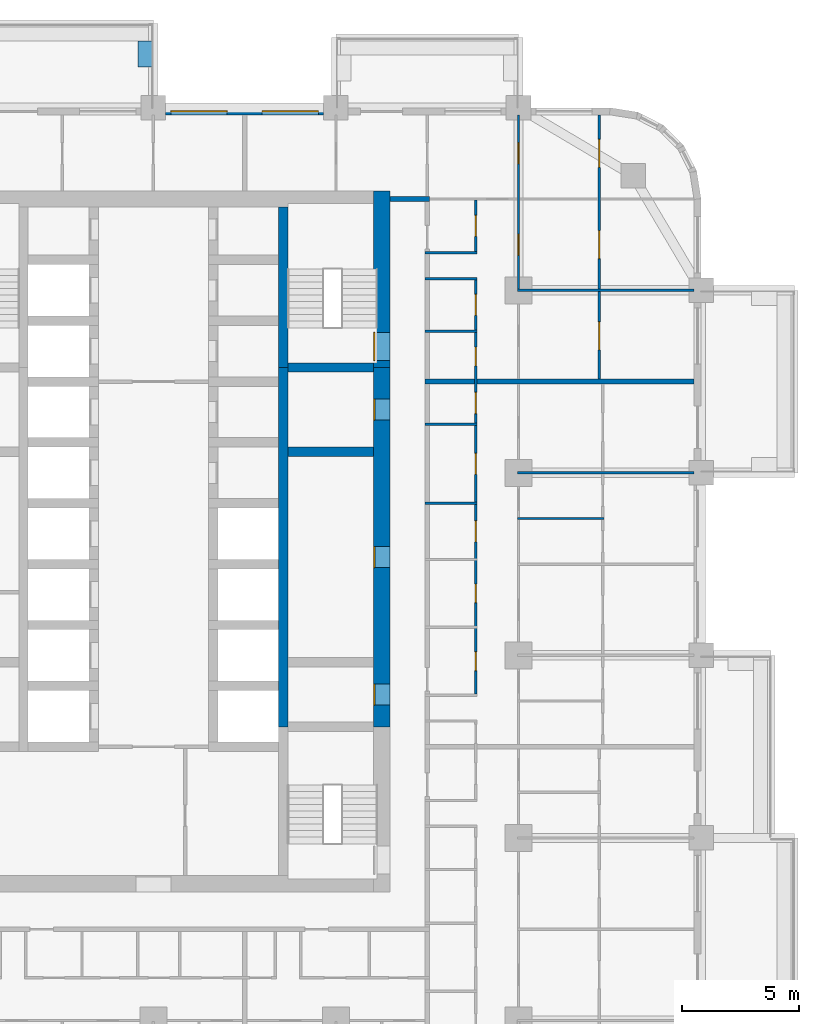
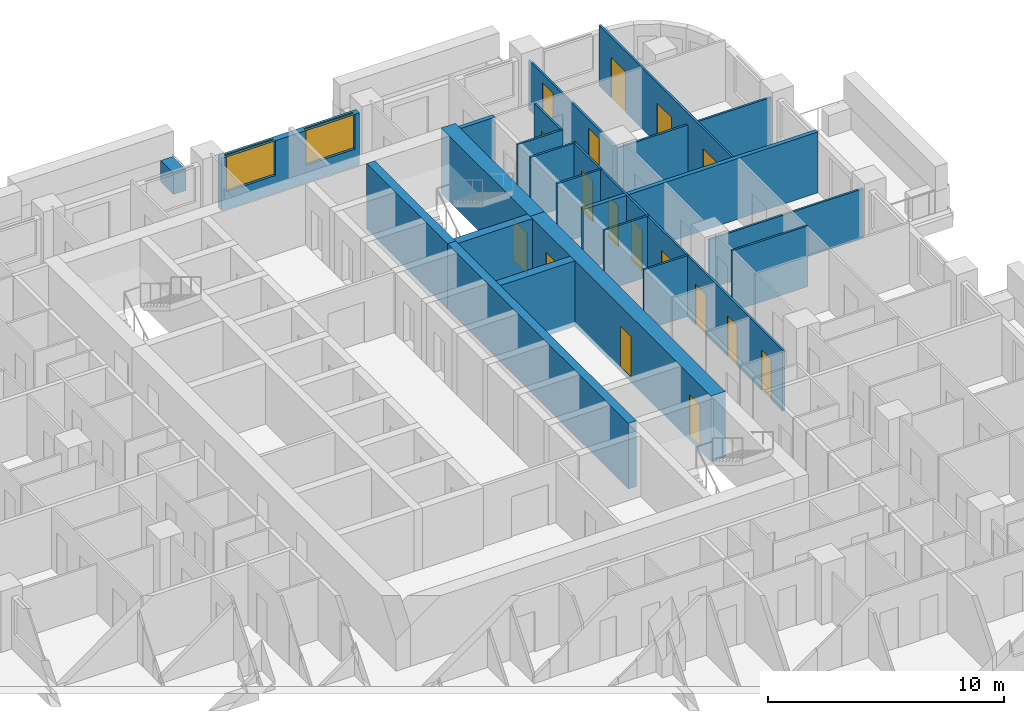
# One storey, part 12 of 17: 22 walls, 17 doors, 2 windows, 19 openings.
"""IFC4 building model written with IfcOpenShell, lengths in metres."""

from ifc_helpers import new_model, si_unit, direction, frame, frame_2d, origin, place, context, subcontext, project, spatial, rectangle, extrude, material, layer, layer_set, type_object, element, fill, save


model = new_model("IFC4")

# Units and contexts
model_context = context("Model", 3, precision=1e-05, world=origin(), true_north=direction((0.0, 1.0)))
body_context = subcontext(model_context, "Body", "Model", "MODEL_VIEW")
ifc_project = project(units=[si_unit("LENGTHUNIT", "METRE"), si_unit("AREAUNIT", "SQUARE_METRE"), si_unit("VOLUMEUNIT", "CUBIC_METRE"), si_unit("PLANEANGLEUNIT", "RADIAN"), si_unit("MASSUNIT", "GRAM", prefix="KILO")], contexts=[model_context])

# Site, building, storey
site_placement = place(None, origin())
site = spatial("IfcSite", under=ifc_project, at=site_placement, CompositionType="ELEMENT")
building_placement = place(site_placement, origin())
building = spatial("IfcBuilding", under=site, at=building_placement, Name="Ludao Terraces", CompositionType="ELEMENT")
storey_placement = place(building_placement, frame((0.0, 0.0, 19.5)))
storey = spatial("IfcBuildingStorey", under=building, at=storey_placement, Name="L04", CompositionType="ELEMENT", Elevation=19.5)

# Wall, openings, doors
ifc_material_1 = material(Name="Concrete C70", Category="concrete")
ifc_layer_1 = layer(ifc_material_1, 0.699951171875)
ifc_layer_set_1 = layer_set([ifc_layer_1], Name="Core wall 700 C70")
wall_type_1 = type_object("IfcWallType", Name="Core wall 700 C70", PredefinedType="SOLIDWALL", material=ifc_layer_set_1)
wall_1_placement = place(storey_placement, frame((94.75, 61.949951171875, -0.25), z_axis=(0.0, 0.0, 1.0), x_axis=(0.0, 1.0, 0.0)))
wall_1 = element("IfcWall", 1, at=wall_1_placement, inside=storey, type_object=wall_type_1, Name="Core wall L04 outer-E", PredefinedType="SOLIDWALL", context=body_context, shape_type="SweptSolid", body=[
    extrude(rectangle(XDim=15.35009765625, YDim=0.699951171875, at=frame_2d((7.675048828125, 0.0))), origin(), (0.0, 0.0, 1.0), 3.39990234375),
])
opening_1_placement = place(wall_1_placement, frame((0.925048828125, 0.0, 0.25)))
opening_1 = element("IfcOpeningElement", 2, at=opening_1_placement, cuts=wall_1, Name="Opening R01-078", PredefinedType="OPENING", context=body_context, shape_type="SweptSolid", body=[
    extrude(rectangle(XDim=0.89990234375, YDim=2.10009765625, at=frame_2d((0.449951171875, 1.050048828125))), frame((0.0, 0.35986328125, 0.0), z_axis=(0.0, -1.0, 0.0), x_axis=(1.0, 0.0, 0.0)), (0.0, 0.0, 1.0), 0.719970703125),
])
opening_2_placement = place(wall_1_placement, frame((6.800048828125, 0.0, 0.25)))
opening_2 = element("IfcOpeningElement", 3, at=opening_2_placement, cuts=wall_1, Name="Opening R01-095", PredefinedType="OPENING", context=body_context, shape_type="SweptSolid", body=[
    extrude(rectangle(XDim=0.89990234375, YDim=2.10009765625, at=frame_2d((0.449951171875, 1.050048828125))), frame((0.0, 0.35986328125, 0.0), z_axis=(0.0, -1.0, 0.0), x_axis=(1.0, 0.0, 0.0)), (0.0, 0.0, 1.0), 0.719970703125),
])
opening_3_placement = place(wall_1_placement, frame((13.10009765625, 0.0, 0.25)))
opening_3 = element("IfcOpeningElement", 4, at=opening_3_placement, cuts=wall_1, Name="Opening R01-118", PredefinedType="OPENING", context=body_context, shape_type="SweptSolid", body=[
    extrude(rectangle(XDim=0.89990234375, YDim=2.10009765625, at=frame_2d((0.449951171875, 1.050048828125))), frame((0.0, 0.35986328125, 0.0), z_axis=(0.0, -1.0, 0.0), x_axis=(1.0, 0.0, 0.0)), (0.0, 0.0, 1.0), 0.719970703125),
])
ifc_material_2 = material(Name="Steel Q235", Category="steel")
door_type_1 = type_object("IfcDoorType", Name="INT Riser door 900", OperationType="SINGLE_SWING_LEFT", PredefinedType="DOOR", material=ifc_material_2)
door_1_placement = place(opening_1_placement, origin())
door_1 = element("IfcDoor", 5, at=door_1_placement, inside=storey, type_object=door_type_1, Name="DOOR 078", OperationType="SINGLE_SWING_LEFT", OverallHeight=2.10009765625, OverallWidth=0.89990234375, PredefinedType="DOOR", context=body_context, shape_type="SweptSolid", body=[
    extrude(rectangle(XDim=0.89990234375, YDim=2.10009765625, at=frame_2d((0.449951171875, 1.050048828125))), frame((0.0, 0.3349609375, 0.0), z_axis=(0.0, -1.0, 0.0), x_axis=(1.0, 0.0, 0.0)), (0.0, 0.0, 1.0), 0.050048828125),
])
fill(opening_1, door_1)
door_2_placement = place(opening_3_placement, origin())
door_2 = element("IfcDoor", 6, at=door_2_placement, inside=storey, type_object=door_type_1, Name="DOOR 118", OperationType="SINGLE_SWING_LEFT", OverallHeight=2.10009765625, OverallWidth=0.89990234375, PredefinedType="DOOR", context=body_context, shape_type="SweptSolid", body=[
    extrude(rectangle(XDim=0.89990234375, YDim=2.10009765625, at=frame_2d((0.449951171875, 1.050048828125))), frame((0.0, 0.3349609375, 0.0), z_axis=(0.0, -1.0, 0.0), x_axis=(1.0, 0.0, 0.0)), (0.0, 0.0, 1.0), 0.050048828125),
])
fill(opening_3, door_2)
ifc_material_3 = material(Name="Timber door leaf", Category="wood")
door_type_2 = type_object("IfcDoorType", Name="INT Room door 900", OperationType="SINGLE_SWING_LEFT", PredefinedType="DOOR", material=ifc_material_3)
door_3_placement = place(opening_2_placement, origin())
door_3 = element("IfcDoor", 7, at=door_3_placement, inside=storey, type_object=door_type_2, Name="DOOR 095", OperationType="SINGLE_SWING_LEFT", OverallHeight=2.10009765625, OverallWidth=0.89990234375, PredefinedType="DOOR", context=body_context, shape_type="SweptSolid", body=[
    extrude(rectangle(XDim=0.89990234375, YDim=2.10009765625, at=frame_2d((0.449951171875, 1.050048828125))), frame((0.0, 0.3349609375, 0.0), z_axis=(0.0, -1.0, 0.0), x_axis=(1.0, 0.0, 0.0)), (0.0, 0.0, 1.0), 0.050048828125),
])
fill(opening_2, door_3)

# Wall, opening, door
wall_2_placement = place(storey_placement, frame((94.75, 77.300048828125, -0.25), z_axis=(0.0, 0.0, 1.0), x_axis=(0.0, 1.0, 0.0)))
wall_2 = element("IfcWall", 8, at=wall_2_placement, inside=storey, type_object=wall_type_1, Name="Core wall L04 outer-E-S2", PredefinedType="SOLIDWALL", context=body_context, shape_type="SweptSolid", body=[
    extrude(rectangle(XDim=7.550048828125, YDim=0.699951171875, at=frame_2d((3.77490234375, 0.0))), origin(), (0.0, 0.0, 1.0), 3.39990234375),
])
opening_4_placement = place(wall_2_placement, frame((0.300048828125, 0.0, 0.25)))
opening_4 = element("IfcOpeningElement", 9, at=opening_4_placement, cuts=wall_2, Name="Opening R01-128", PredefinedType="OPENING", context=body_context, shape_type="SweptSolid", body=[
    extrude(rectangle(XDim=1.199951171875, YDim=2.10009765625, at=frame_2d((0.60009765625, 1.050048828125))), frame((0.0, 0.35986328125, 0.0), z_axis=(0.0, -1.0, 0.0), x_axis=(1.0, 0.0, 0.0)), (0.0, 0.0, 1.0), 0.719970703125),
])
door_type_3 = type_object("IfcDoorType", Name="INT Stair door 1200", OperationType="DOUBLE_DOOR_SINGLE_SWING", PredefinedType="DOOR", material=ifc_material_2)
door_4_placement = place(opening_4_placement, origin())
door_4 = element("IfcDoor", 10, at=door_4_placement, inside=storey, type_object=door_type_3, Name="DOOR 128", OperationType="DOUBLE_DOOR_SINGLE_SWING", OverallHeight=2.10009765625, OverallWidth=1.199951171875, PredefinedType="DOOR", context=body_context, shape_type="SweptSolid", body=[
    extrude(rectangle(XDim=1.199951171875, YDim=2.10009765625, at=frame_2d((0.60009765625, 1.050048828125))), frame((0.0, 0.3349609375, 0.0), z_axis=(0.0, -1.0, 0.0), x_axis=(1.0, 0.0, 0.0)), (0.0, 0.0, 1.0), 0.050048828125),
])
fill(opening_4, door_4)

# Wall
ifc_material_4 = material(Name="Concrete C40", Category="concrete")
ifc_layer_2 = layer(ifc_material_4, 0.60009765625)
ifc_layer_set_2 = layer_set([ifc_layer_2], Name="ENV Planter trough 600")
wall_type_2 = type_object("IfcWallType", Name="ENV Planter trough 600", PredefinedType="USERDEFINED", material=ifc_layer_set_2)
wall_3_placement = place(storey_placement, frame((84.64990234375, 91.25, 0.0), z_axis=(0.0, 0.0, 1.0), x_axis=(0.0, -1.0, 0.0)))
element("IfcWall", 11, at=wall_3_placement, inside=storey, type_object=wall_type_2, Name="PL-L04-N2-SB", ObjectType="PLANTER", PredefinedType="USERDEFINED", context=body_context, shape_type="SweptSolid", body=[
    extrude(rectangle(XDim=1.10009765625, YDim=0.60009765625, at=frame_2d((0.550048828125, 0.0))), origin(), (0.0, 0.0, 1.0), 1.10009765625),
])

# Wall, openings, windows
ifc_material_5 = material(Name="Granite cladding", Category="masonry")
ifc_layer_3 = layer(ifc_material_5, 0.0400390625, Category="stone")
ifc_material_6 = material(Name="Mineral wool")
ifc_layer_4 = layer(ifc_material_6, 0.06005859375)
ifc_layer_5 = layer(ifc_material_4, 0.199951171875, Category="concrete")
ifc_layer_set_3 = layer_set([ifc_layer_3, ifc_layer_4, ifc_layer_5], Name="ENV Stone-clad wall 300")
wall_type_3 = type_object("IfcWallType", Name="ENV Stone-clad wall 300", PredefinedType="SOLIDWALL", material=ifc_layer_set_3)
wall_4_placement = place(storey_placement, frame((85.52490234375, 88.25, 0.0), z_axis=(0.0, 0.0, 1.0), x_axis=(1.0, 0.0, 0.0)))
wall_4 = element("IfcWall", 12, at=wall_4_placement, inside=storey, type_object=wall_type_3, Name="EW-L04-N4", PredefinedType="SOLIDWALL", context=body_context, shape_type="SweptSolid", body=[
    extrude(rectangle(XDim=6.75, YDim=0.300048828125, at=frame_2d((3.375, 0.0))), origin(), (0.0, 0.0, 1.0), 2.699951171875),
])
opening_5_placement = place(wall_4_placement, frame((0.22509765625, 0.0, 0.89990234375)))
opening_5 = element("IfcOpeningElement", 13, at=opening_5_placement, cuts=wall_4, Name="Opening W1", PredefinedType="OPENING", context=body_context, shape_type="SweptSolid", body=[
    extrude(rectangle(XDim=2.39990234375, YDim=1.800048828125, at=frame_2d((1.199951171875, 0.89990234375))), frame((0.0, 0.16015625, 0.0), z_axis=(0.0, -1.0, 0.0), x_axis=(1.0, 0.0, 0.0)), (0.0, 0.0, 1.0), 0.320068359375),
])
opening_6_placement = place(wall_4_placement, frame((4.125, 0.0, 0.89990234375)))
opening_6 = element("IfcOpeningElement", 14, at=opening_6_placement, cuts=wall_4, Name="Opening W1", PredefinedType="OPENING", context=body_context, shape_type="SweptSolid", body=[
    extrude(rectangle(XDim=2.39990234375, YDim=1.800048828125, at=frame_2d((1.199951171875, 0.89990234375))), frame((0.0, 0.16015625, 0.0), z_axis=(0.0, -1.0, 0.0), x_axis=(1.0, 0.0, 0.0)), (0.0, 0.0, 1.0), 0.320068359375),
])
ifc_material_7 = material(Name="Clear glass in aluminium frame", Category="aluminium")
ifc_layer_6 = layer(ifc_material_7, 0.06005859375)
ifc_layer_set_4 = layer_set([ifc_layer_6], Name="ENV Window W1 2400x1800")
window_type = type_object("IfcWindowType", Name="ENV Window W1 2400x1800", PartitioningType="DOUBLE_PANEL_VERTICAL", PredefinedType="WINDOW", material=ifc_layer_set_4)
window_1_placement = place(opening_5_placement, origin())
window_1 = element("IfcWindow", 15, at=window_1_placement, inside=storey, type_object=window_type, Name="W-L04-N4-1", OverallHeight=1.800048828125, OverallWidth=2.39990234375, PartitioningType="DOUBLE_PANEL_VERTICAL", PredefinedType="WINDOW", context=body_context, shape_type="SweptSolid", body=[
    extrude(rectangle(XDim=2.39990234375, YDim=1.800048828125, at=frame_2d((1.199951171875, 0.89990234375))), frame((0.0, 0.030029296875, 0.0), z_axis=(0.0, -1.0, 0.0), x_axis=(1.0, 0.0, 0.0)), (0.0, 0.0, 1.0), 0.06005859375),
])
fill(opening_5, window_1)
window_2_placement = place(opening_6_placement, origin())
window_2 = element("IfcWindow", 16, at=window_2_placement, inside=storey, type_object=window_type, Name="W-L04-N4-2", OverallHeight=1.800048828125, OverallWidth=2.39990234375, PartitioningType="DOUBLE_PANEL_VERTICAL", PredefinedType="WINDOW", context=body_context, shape_type="SweptSolid", body=[
    extrude(rectangle(XDim=2.39990234375, YDim=1.800048828125, at=frame_2d((1.199951171875, 0.89990234375))), frame((0.0, 0.030029296875, 0.0), z_axis=(0.0, -1.0, 0.0), x_axis=(1.0, 0.0, 0.0)), (0.0, 0.0, 1.0), 0.06005859375),
])
fill(opening_6, window_2)

# Walls
ifc_material_8 = material(Name="Autoclaved aerated concrete block B06 A3.5", Category="concrete")
ifc_layer_7 = layer(ifc_material_8, 0.199951171875)
ifc_layer_set_5 = layer_set([ifc_layer_7], Name="INT Entrance wall 200")
wall_type_4 = type_object("IfcWallType", Name="INT Entrance wall 200", PredefinedType="PARTITIONING", material=ifc_layer_set_5)
wall_5_placement = place(storey_placement, frame((95.10009765625, 84.5, 0.0), z_axis=(0.0, 0.0, 1.0), x_axis=(1.0, 0.0, 0.0)))
element("IfcWall", 17, at=wall_5_placement, inside=storey, type_object=wall_type_4, Name="PW-L04-PW071", PredefinedType="PARTITIONING", context=body_context, shape_type="SweptSolid", body=[
    extrude(rectangle(XDim=1.699951171875, YDim=0.199951171875, at=frame_2d((0.85009765625, 0.0))), origin(), (0.0, 0.0, 1.0), 3.14990234375),
])
ifc_material_9 = material(Name="Gypsum plasterboard", Category="gypsum")
ifc_layer_8 = layer(ifc_material_9, 0.012451171875, Category="gypsum")
ifc_layer_9 = layer(ifc_material_6, 0.06005859375, Name="insulation")
ifc_layer_10 = layer(ifc_material_2, 0.014892578125, Name="stud")
ifc_layer_11 = layer(ifc_material_9, 0.012451171875, Category="gypsum")
ifc_layer_set_6 = layer_set([ifc_layer_8, ifc_layer_9, ifc_layer_10, ifc_layer_11], Name="INT Partition 100")
wall_type_5 = type_object("IfcWallType", Name="INT Partition 100", PredefinedType="PARTITIONING", material=ifc_layer_set_6)
wall_6_placement = place(storey_placement, frame((100.550048828125, 70.85009765625, 0.0), z_axis=(0.0, 0.0, 1.0), x_axis=(1.0, 0.0, 0.0)))
element("IfcWall", 18, at=wall_6_placement, inside=storey, type_object=wall_type_5, Name="PW-L04-PW050", PredefinedType="PARTITIONING", context=body_context, shape_type="SweptSolid", body=[
    extrude(rectangle(XDim=3.699951171875, YDim=0.10009765625, at=frame_2d((1.85009765625, 0.0))), origin(), (0.0, 0.0, 1.0), 3.14990234375),
])
wall_7_placement = place(storey_placement, frame((96.60009765625, 71.5, 0.0), z_axis=(0.0, 0.0, 1.0), x_axis=(1.0, 0.0, 0.0)))
element("IfcWall", 19, at=wall_7_placement, inside=storey, type_object=wall_type_5, Name="PW-L04-PW052", PredefinedType="PARTITIONING", context=body_context, shape_type="SweptSolid", body=[
    extrude(rectangle(XDim=2.219970703125, YDim=0.10009765625, at=frame_2d((1.10986328125, 0.0))), origin(), (0.0, 0.0, 1.0), 3.14990234375),
])
wall_8_placement = place(storey_placement, frame((100.550048828125, 72.800048828125, 0.0), z_axis=(0.0, 0.0, 1.0), x_axis=(1.0, 0.0, 0.0)))
element("IfcWall", 20, at=wall_8_placement, inside=storey, type_object=wall_type_5, Name="PW-L04-PW054", PredefinedType="PARTITIONING", context=body_context, shape_type="SweptSolid", body=[
    extrude(rectangle(XDim=7.550048828125, YDim=0.10009765625, at=frame_2d((3.77490234375, 0.0))), origin(), (0.0, 0.0, 1.0), 2.550048828125),
])
for number, where, z_axis, x_axis, name in (
    (21, (96.60009765625, 74.8701171875, 0.0), (0.0, 0.0, 1.0), (1.0, 0.0, 0.0), "PW-L04-PW056"),
    (22, (96.60009765625, 78.85009765625, 0.0), (0.0, 0.0, 1.0), (1.0, 0.0, 0.0), "PW-L04-PW062"),
):
    element("IfcWall", number, at=place(storey_placement, frame(where, z_axis=z_axis, x_axis=x_axis)), inside=storey, type_object=wall_type_5, Name=name, PredefinedType="PARTITIONING", context=body_context, shape_type="SweptSolid", body=[
        extrude(rectangle(XDim=2.219970703125, YDim=0.10009765625, at=frame_2d((1.10986328125, 0.0))), origin(), (0.0, 0.0, 1.0), 3.14990234375),
    ])
wall_9_placement = place(storey_placement, frame((100.550048828125, 80.60009765625, 0.0), z_axis=(0.0, 0.0, 1.0), x_axis=(1.0, 0.0, 0.0)))
element("IfcWall", 23, at=wall_9_placement, inside=storey, type_object=wall_type_5, Name="PW-L04-PW065", PredefinedType="PARTITIONING", context=body_context, shape_type="SweptSolid", body=[
    extrude(rectangle(XDim=7.550048828125, YDim=0.10009765625, at=frame_2d((3.77490234375, 0.0))), origin(), (0.0, 0.0, 1.0), 2.550048828125),
])
for number, where, z_axis, x_axis, name in (
    (24, (96.60009765625, 81.10009765625, 0.0), (0.0, 0.0, 1.0), (1.0, 0.0, 0.0), "PW-L04-PW066"),
    (25, (96.60009765625, 82.199951171875, 0.0), (0.0, 0.0, 1.0), (1.0, 0.0, 0.0), "PW-L04-PW068"),
):
    element("IfcWall", number, at=place(storey_placement, frame(where, z_axis=z_axis, x_axis=x_axis)), inside=storey, type_object=wall_type_5, Name=name, PredefinedType="PARTITIONING", context=body_context, shape_type="SweptSolid", body=[
        extrude(rectangle(XDim=2.219970703125, YDim=0.10009765625, at=frame_2d((1.10986328125, 0.0))), origin(), (0.0, 0.0, 1.0), 3.14990234375),
    ])

# Wall, openings, doors
wall_10_placement = place(storey_placement, frame((98.77001953125, 63.35009765625, 0.0), z_axis=(0.0, 0.0, 1.0), x_axis=(0.0, 1.0, 0.0)))
wall_10 = element("IfcWall", 26, at=wall_10_placement, inside=storey, type_object=wall_type_5, Name="PW-L04-PW114", PredefinedType="PARTITIONING", context=body_context, shape_type="SweptSolid", body=[
    extrude(rectangle(XDim=17.699951171875, YDim=0.10009765625, at=frame_2d((8.85009765625, 0.0))), origin(), (0.0, 0.0, 1.0), 3.14990234375),
])
opening_7_placement = place(wall_10_placement, frame((1.0, 0.0, 0.0)))
opening_7 = element("IfcOpeningElement", 27, at=opening_7_placement, cuts=wall_10, Name="Opening R01-083", PredefinedType="OPENING", context=body_context, shape_type="SweptSolid", body=[
    extrude(rectangle(XDim=0.800048828125, YDim=2.10009765625, at=frame_2d((0.39990234375, 1.050048828125))), frame((0.0, 0.06005859375, 0.0), z_axis=(0.0, -1.0, 0.0), x_axis=(1.0, 0.0, 0.0)), (0.0, 0.0, 1.0), 0.1201171875),
])
opening_8_placement = place(wall_10_placement, frame((3.89990234375, 0.0, 0.0)))
opening_8 = element("IfcOpeningElement", 28, at=opening_8_placement, cuts=wall_10, Name="Opening R01-092", PredefinedType="OPENING", context=body_context, shape_type="SweptSolid", body=[
    extrude(rectangle(XDim=0.800048828125, YDim=2.10009765625, at=frame_2d((0.39990234375, 1.050048828125))), frame((0.0, 0.06005859375, 0.0), z_axis=(0.0, -1.0, 0.0), x_axis=(1.0, 0.0, 0.0)), (0.0, 0.0, 1.0), 0.1201171875),
])
opening_9_placement = place(wall_10_placement, frame((6.5, 0.0, 0.0)))
opening_9 = element("IfcOpeningElement", 29, at=opening_9_placement, cuts=wall_10, Name="Opening R01-100", PredefinedType="OPENING", context=body_context, shape_type="SweptSolid", body=[
    extrude(rectangle(XDim=0.89990234375, YDim=2.10009765625, at=frame_2d((0.449951171875, 1.050048828125))), frame((0.0, 0.06005859375, 0.0), z_axis=(0.0, -1.0, 0.0), x_axis=(1.0, 0.0, 0.0)), (0.0, 0.0, 1.0), 0.1201171875),
])
opening_10_placement = place(wall_10_placement, frame((9.385009765625, 0.0, 0.0)))
opening_10 = element("IfcOpeningElement", 30, at=opening_10_placement, cuts=wall_10, Name="Opening R01-110", PredefinedType="OPENING", context=body_context, shape_type="SweptSolid", body=[
    extrude(rectangle(XDim=0.89990234375, YDim=2.10009765625, at=frame_2d((0.449951171875, 1.050048828125))), frame((0.0, 0.06005859375, 0.0), z_axis=(0.0, -1.0, 0.0), x_axis=(1.0, 0.0, 0.0)), (0.0, 0.0, 1.0), 0.1201171875),
])
opening_11_placement = place(wall_10_placement, frame((11.985107421875, 0.0, 0.0)))
opening_11 = element("IfcOpeningElement", 31, at=opening_11_placement, cuts=wall_10, Name="Opening R01-120", PredefinedType="OPENING", context=body_context, shape_type="SweptSolid", body=[
    extrude(rectangle(XDim=0.89990234375, YDim=2.10009765625, at=frame_2d((0.449951171875, 1.050048828125))), frame((0.0, 0.06005859375, 0.0), z_axis=(0.0, -1.0, 0.0), x_axis=(1.0, 0.0, 0.0)), (0.0, 0.0, 1.0), 0.1201171875),
])
opening_12_placement = place(wall_10_placement, frame((14.02490234375, 0.0, 0.0)))
opening_12 = element("IfcOpeningElement", 32, at=opening_12_placement, cuts=wall_10, Name="Opening R01-124", PredefinedType="OPENING", context=body_context, shape_type="SweptSolid", body=[
    extrude(rectangle(XDim=0.800048828125, YDim=2.10009765625, at=frame_2d((0.39990234375, 1.050048828125))), frame((0.0, 0.06005859375, 0.0), z_axis=(0.0, -1.0, 0.0), x_axis=(1.0, 0.0, 0.0)), (0.0, 0.0, 1.0), 0.1201171875),
])
opening_13_placement = place(wall_10_placement, frame((16.175048828125, 0.0, 0.0)))
opening_13 = element("IfcOpeningElement", 33, at=opening_13_placement, cuts=wall_10, Name="Opening R01-134", PredefinedType="OPENING", context=body_context, shape_type="SweptSolid", body=[
    extrude(rectangle(XDim=0.89990234375, YDim=2.10009765625, at=frame_2d((0.449951171875, 1.050048828125))), frame((0.0, 0.06005859375, 0.0), z_axis=(0.0, -1.0, 0.0), x_axis=(1.0, 0.0, 0.0)), (0.0, 0.0, 1.0), 0.1201171875),
])
door_type_4 = type_object("IfcDoorType", Name="INT Bathroom door 900", OperationType="SINGLE_SWING_LEFT", PredefinedType="DOOR", material=ifc_material_3)
door_5_placement = place(opening_9_placement, origin())
door_5 = element("IfcDoor", 34, at=door_5_placement, inside=storey, type_object=door_type_4, Name="DOOR 100", OperationType="SINGLE_SWING_LEFT", OverallHeight=2.10009765625, OverallWidth=0.89990234375, PredefinedType="DOOR", context=body_context, shape_type="SweptSolid", body=[
    extrude(rectangle(XDim=0.89990234375, YDim=2.10009765625, at=frame_2d((0.449951171875, 1.050048828125))), frame((0.0, 0.02490234375, 0.0), z_axis=(0.0, -1.0, 0.0), x_axis=(1.0, 0.0, 0.0)), (0.0, 0.0, 1.0), 0.050048828125),
])
fill(opening_9, door_5)
door_6_placement = place(opening_11_placement, origin())
door_6 = element("IfcDoor", 35, at=door_6_placement, inside=storey, type_object=door_type_4, Name="DOOR 120", OperationType="SINGLE_SWING_RIGHT", OverallHeight=2.10009765625, OverallWidth=0.89990234375, PredefinedType="DOOR", context=body_context, shape_type="SweptSolid", body=[
    extrude(rectangle(XDim=0.89990234375, YDim=2.10009765625, at=frame_2d((0.449951171875, 1.050048828125))), frame((0.0, 0.02490234375, 0.0), z_axis=(0.0, -1.0, 0.0), x_axis=(1.0, 0.0, 0.0)), (0.0, 0.0, 1.0), 0.050048828125),
])
fill(opening_11, door_6)
door_7_placement = place(opening_13_placement, origin())
door_7 = element("IfcDoor", 36, at=door_7_placement, inside=storey, type_object=door_type_4, Name="DOOR 134", OperationType="SINGLE_SWING_RIGHT", OverallHeight=2.10009765625, OverallWidth=0.89990234375, PredefinedType="DOOR", context=body_context, shape_type="SweptSolid", body=[
    extrude(rectangle(XDim=0.89990234375, YDim=2.10009765625, at=frame_2d((0.449951171875, 1.050048828125))), frame((0.0, 0.02490234375, 0.0), z_axis=(0.0, -1.0, 0.0), x_axis=(1.0, 0.0, 0.0)), (0.0, 0.0, 1.0), 0.050048828125),
])
fill(opening_13, door_7)
door_8_placement = place(opening_10_placement, origin())
door_8 = element("IfcDoor", 37, at=door_8_placement, inside=storey, type_object=door_type_2, Name="DOOR 110", OperationType="SINGLE_SWING_RIGHT", OverallHeight=2.10009765625, OverallWidth=0.89990234375, PredefinedType="DOOR", context=body_context, shape_type="SweptSolid", body=[
    extrude(rectangle(XDim=0.89990234375, YDim=2.10009765625, at=frame_2d((0.449951171875, 1.050048828125))), frame((0.0, 0.02490234375, 0.0), z_axis=(0.0, -1.0, 0.0), x_axis=(1.0, 0.0, 0.0)), (0.0, 0.0, 1.0), 0.050048828125),
])
fill(opening_10, door_8)
door_type_5 = type_object("IfcDoorType", Name="INT Store door 800", OperationType="SINGLE_SWING_LEFT", PredefinedType="DOOR", material=ifc_material_3)
door_9_placement = place(opening_7_placement, origin())
door_9 = element("IfcDoor", 38, at=door_9_placement, inside=storey, type_object=door_type_5, Name="DOOR 083", OperationType="SINGLE_SWING_LEFT", OverallHeight=2.10009765625, OverallWidth=0.800048828125, PredefinedType="DOOR", context=body_context, shape_type="SweptSolid", body=[
    extrude(rectangle(XDim=0.800048828125, YDim=2.10009765625, at=frame_2d((0.39990234375, 1.050048828125))), frame((0.0, 0.02490234375, 0.0), z_axis=(0.0, -1.0, 0.0), x_axis=(1.0, 0.0, 0.0)), (0.0, 0.0, 1.0), 0.050048828125),
])
fill(opening_7, door_9)
door_10_placement = place(opening_8_placement, origin())
door_10 = element("IfcDoor", 39, at=door_10_placement, inside=storey, type_object=door_type_5, Name="DOOR 092", OperationType="SINGLE_SWING_LEFT", OverallHeight=2.10009765625, OverallWidth=0.800048828125, PredefinedType="DOOR", context=body_context, shape_type="SweptSolid", body=[
    extrude(rectangle(XDim=0.800048828125, YDim=2.10009765625, at=frame_2d((0.39990234375, 1.050048828125))), frame((0.0, 0.02490234375, 0.0), z_axis=(0.0, -1.0, 0.0), x_axis=(1.0, 0.0, 0.0)), (0.0, 0.0, 1.0), 0.050048828125),
])
fill(opening_8, door_10)
door_11_placement = place(opening_12_placement, origin())
door_11 = element("IfcDoor", 40, at=door_11_placement, inside=storey, type_object=door_type_5, Name="DOOR 124", OperationType="SINGLE_SWING_LEFT", OverallHeight=2.10009765625, OverallWidth=0.800048828125, PredefinedType="DOOR", context=body_context, shape_type="SweptSolid", body=[
    extrude(rectangle(XDim=0.800048828125, YDim=2.10009765625, at=frame_2d((0.39990234375, 1.050048828125))), frame((0.0, 0.02490234375, 0.0), z_axis=(0.0, -1.0, 0.0), x_axis=(1.0, 0.0, 0.0)), (0.0, 0.0, 1.0), 0.050048828125),
])
fill(opening_12, door_11)

# Wall, opening, door
wall_11_placement = place(storey_placement, frame((98.77001953125, 82.25, 0.0), z_axis=(0.0, 0.0, 1.0), x_axis=(0.0, 1.0, 0.0)))
wall_11 = element("IfcWall", 41, at=wall_11_placement, inside=storey, type_object=wall_type_5, Name="PW-L04-PW115", PredefinedType="PARTITIONING", context=body_context, shape_type="SweptSolid", body=[
    extrude(rectangle(XDim=2.2001953125, YDim=0.10009765625, at=frame_2d((1.10009765625, 0.0))), origin(), (0.0, 0.0, 1.0), 3.14990234375),
])
opening_14_placement = place(wall_11_placement, frame((0.650146484375, 0.0, 0.0)))
opening_14 = element("IfcOpeningElement", 42, at=opening_14_placement, cuts=wall_11, Name="Opening R01-146", PredefinedType="OPENING", context=body_context, shape_type="SweptSolid", body=[
    extrude(rectangle(XDim=0.89990234375, YDim=2.10009765625, at=frame_2d((0.449951171875, 1.050048828125))), frame((0.0, 0.06005859375, 0.0), z_axis=(0.0, -1.0, 0.0), x_axis=(1.0, 0.0, 0.0)), (0.0, 0.0, 1.0), 0.1201171875),
])
door_12_placement = place(opening_14_placement, origin())
door_12 = element("IfcDoor", 43, at=door_12_placement, inside=storey, type_object=door_type_2, Name="DOOR 146", OperationType="SINGLE_SWING_RIGHT", OverallHeight=2.10009765625, OverallWidth=0.89990234375, PredefinedType="DOOR", context=body_context, shape_type="SweptSolid", body=[
    extrude(rectangle(XDim=0.89990234375, YDim=2.10009765625, at=frame_2d((0.449951171875, 1.050048828125))), frame((0.0, 0.02490234375, 0.0), z_axis=(0.0, -1.0, 0.0), x_axis=(1.0, 0.0, 0.0)), (0.0, 0.0, 1.0), 0.050048828125),
])
fill(opening_14, door_12)

# Wall, openings, doors
wall_12_placement = place(storey_placement, frame((100.60009765625, 80.60009765625, 0.0), z_axis=(0.0, 0.0, 1.0), x_axis=(0.0, 1.0, 0.0)))
wall_12 = element("IfcWall", 44, at=wall_12_placement, inside=storey, type_object=wall_type_5, Name="PW-L04-PW116-3", PredefinedType="PARTITIONING", context=body_context, shape_type="SweptSolid", body=[
    extrude(rectangle(XDim=7.5, YDim=0.10009765625, at=frame_2d((3.75, 0.0))), origin(), (0.0, 0.0, 1.0), 2.550048828125),
])
opening_15_placement = place(wall_12_placement, frame((1.5, 0.0, 0.0)))
opening_15 = element("IfcOpeningElement", 45, at=opening_15_placement, cuts=wall_12, Name="Opening R01-140", PredefinedType="OPENING", context=body_context, shape_type="SweptSolid", body=[
    extrude(rectangle(XDim=0.89990234375, YDim=2.10009765625, at=frame_2d((0.449951171875, 1.050048828125))), frame((0.0, 0.06005859375, 0.0), z_axis=(0.0, -1.0, 0.0), x_axis=(1.0, 0.0, 0.0)), (0.0, 0.0, 1.0), 0.1201171875),
])
opening_16_placement = place(wall_12_placement, frame((5.39990234375, 0.0, 0.0)))
opening_16 = element("IfcOpeningElement", 46, at=opening_16_placement, cuts=wall_12, Name="Opening R01-157", PredefinedType="OPENING", context=body_context, shape_type="SweptSolid", body=[
    extrude(rectangle(XDim=0.89990234375, YDim=2.10009765625, at=frame_2d((0.449951171875, 1.050048828125))), frame((0.0, 0.06005859375, 0.0), z_axis=(0.0, -1.0, 0.0), x_axis=(1.0, 0.0, 0.0)), (0.0, 0.0, 1.0), 0.1201171875),
])
door_13_placement = place(opening_15_placement, origin())
door_13 = element("IfcDoor", 47, at=door_13_placement, inside=storey, type_object=door_type_2, Name="DOOR 140", OperationType="SINGLE_SWING_RIGHT", OverallHeight=2.10009765625, OverallWidth=0.89990234375, PredefinedType="DOOR", context=body_context, shape_type="SweptSolid", body=[
    extrude(rectangle(XDim=0.89990234375, YDim=2.10009765625, at=frame_2d((0.449951171875, 1.050048828125))), frame((0.0, 0.02490234375, 0.0), z_axis=(0.0, -1.0, 0.0), x_axis=(1.0, 0.0, 0.0)), (0.0, 0.0, 1.0), 0.050048828125),
])
fill(opening_15, door_13)
door_14_placement = place(opening_16_placement, origin())
door_14 = element("IfcDoor", 48, at=door_14_placement, inside=storey, type_object=door_type_2, Name="DOOR 157", OperationType="SINGLE_SWING_LEFT", OverallHeight=2.10009765625, OverallWidth=0.89990234375, PredefinedType="DOOR", context=body_context, shape_type="SweptSolid", body=[
    extrude(rectangle(XDim=0.89990234375, YDim=2.10009765625, at=frame_2d((0.449951171875, 1.050048828125))), frame((0.0, 0.02490234375, 0.0), z_axis=(0.0, -1.0, 0.0), x_axis=(1.0, 0.0, 0.0)), (0.0, 0.0, 1.0), 0.050048828125),
])
fill(opening_16, door_14)

wall_13_placement = place(storey_placement, frame((104.050048828125, 76.800048828125, 0.0), z_axis=(0.0, 0.0, 1.0), x_axis=(0.0, 1.0, 0.0)))
wall_13 = element("IfcWall", 49, at=wall_13_placement, inside=storey, type_object=wall_type_5, Name="PW-L04-PW118", PredefinedType="PARTITIONING", context=body_context, shape_type="SweptSolid", body=[
    extrude(rectangle(XDim=11.300048828125, YDim=0.10009765625, at=frame_2d((5.64990234375, 0.0))), origin(), (0.0, 0.0, 1.0), 3.14990234375),
])
opening_17_placement = place(wall_13_placement, frame((1.25, 0.0, 0.0)))
opening_17 = element("IfcOpeningElement", 50, at=opening_17_placement, cuts=wall_13, Name="Opening R01-130", PredefinedType="OPENING", context=body_context, shape_type="SweptSolid", body=[
    extrude(rectangle(XDim=1.199951171875, YDim=2.10009765625, at=frame_2d((0.60009765625, 1.050048828125))), frame((0.0, 0.06005859375, 0.0), z_axis=(0.0, -1.0, 0.0), x_axis=(1.0, 0.0, 0.0)), (0.0, 0.0, 1.0), 0.1201171875),
])
opening_18_placement = place(wall_13_placement, frame((5.14990234375, 0.0, 0.0)))
opening_18 = element("IfcOpeningElement", 51, at=opening_18_placement, cuts=wall_13, Name="Opening R01-141", PredefinedType="OPENING", context=body_context, shape_type="SweptSolid", body=[
    extrude(rectangle(XDim=1.199951171875, YDim=2.10009765625, at=frame_2d((0.60009765625, 1.050048828125))), frame((0.0, 0.06005859375, 0.0), z_axis=(0.0, -1.0, 0.0), x_axis=(1.0, 0.0, 0.0)), (0.0, 0.0, 1.0), 0.1201171875),
])
opening_19_placement = place(wall_13_placement, frame((9.050048828125, 0.0, 0.0)))
opening_19 = element("IfcOpeningElement", 52, at=opening_19_placement, cuts=wall_13, Name="Opening R01-158", PredefinedType="OPENING", context=body_context, shape_type="SweptSolid", body=[
    extrude(rectangle(XDim=1.199951171875, YDim=2.10009765625, at=frame_2d((0.60009765625, 1.050048828125))), frame((0.0, 0.06005859375, 0.0), z_axis=(0.0, -1.0, 0.0), x_axis=(1.0, 0.0, 0.0)), (0.0, 0.0, 1.0), 0.1201171875),
])
door_type_6 = type_object("IfcDoorType", Name="INT Double door 1200", OperationType="DOUBLE_DOOR_SINGLE_SWING", PredefinedType="DOOR", material=ifc_material_3)
door_15_placement = place(opening_17_placement, origin())
door_15 = element("IfcDoor", 53, at=door_15_placement, inside=storey, type_object=door_type_6, Name="DOOR 130", OperationType="DOUBLE_DOOR_SINGLE_SWING", OverallHeight=2.10009765625, OverallWidth=1.199951171875, PredefinedType="DOOR", context=body_context, shape_type="SweptSolid", body=[
    extrude(rectangle(XDim=1.199951171875, YDim=2.10009765625, at=frame_2d((0.60009765625, 1.050048828125))), frame((0.0, 0.02490234375, 0.0), z_axis=(0.0, -1.0, 0.0), x_axis=(1.0, 0.0, 0.0)), (0.0, 0.0, 1.0), 0.050048828125),
])
fill(opening_17, door_15)
door_16_placement = place(opening_18_placement, origin())
door_16 = element("IfcDoor", 54, at=door_16_placement, inside=storey, type_object=door_type_6, Name="DOOR 141", OperationType="DOUBLE_DOOR_SINGLE_SWING", OverallHeight=2.10009765625, OverallWidth=1.199951171875, PredefinedType="DOOR", context=body_context, shape_type="SweptSolid", body=[
    extrude(rectangle(XDim=1.199951171875, YDim=2.10009765625, at=frame_2d((0.60009765625, 1.050048828125))), frame((0.0, 0.02490234375, 0.0), z_axis=(0.0, -1.0, 0.0), x_axis=(1.0, 0.0, 0.0)), (0.0, 0.0, 1.0), 0.050048828125),
])
fill(opening_18, door_16)
door_17_placement = place(opening_19_placement, origin())
door_17 = element("IfcDoor", 55, at=door_17_placement, inside=storey, type_object=door_type_6, Name="DOOR 158", OperationType="DOUBLE_DOOR_SINGLE_SWING", OverallHeight=2.10009765625, OverallWidth=1.199951171875, PredefinedType="DOOR", context=body_context, shape_type="SweptSolid", body=[
    extrude(rectangle(XDim=1.199951171875, YDim=2.10009765625, at=frame_2d((0.60009765625, 1.050048828125))), frame((0.0, 0.02490234375, 0.0), z_axis=(0.0, -1.0, 0.0), x_axis=(1.0, 0.0, 0.0)), (0.0, 0.0, 1.0), 0.050048828125),
])
fill(opening_19, door_17)

# Walls
ifc_layer_12 = layer(ifc_material_8, 0.199951171875)
ifc_layer_set_7 = layer_set([ifc_layer_12], Name="INT Party wall 200")
wall_type_6 = type_object("IfcWallType", Name="INT Party wall 200", PredefinedType="PARTITIONING", material=ifc_layer_set_7)
wall_14_placement = place(storey_placement, frame((96.60009765625, 76.699951171875, 0.0), z_axis=(0.0, 0.0, 1.0), x_axis=(1.0, 0.0, 0.0)))
element("IfcWall", 56, at=wall_14_placement, inside=storey, type_object=wall_type_6, Name="PW-L04-PW059", PredefinedType="PARTITIONING", context=body_context, shape_type="SweptSolid", body=[
    extrude(rectangle(XDim=11.5, YDim=0.199951171875, at=frame_2d((5.75, 0.0))), origin(), (0.0, 0.0, 1.0), 3.14990234375),
])
ifc_material_10 = material(Name="Concrete C60", Category="concrete")
ifc_layer_13 = layer(ifc_material_10, 0.39990234375)
ifc_layer_set_8 = layer_set([ifc_layer_13], Name="Shaft wall 400 C60")
wall_type_7 = type_object("IfcWallType", Name="Shaft wall 400 C60", PredefinedType="SOLIDWALL", material=ifc_layer_set_8)
wall_15_placement = place(storey_placement, frame((90.550048828125, 61.949951171875, -0.25), z_axis=(0.0, 0.0, 1.0), x_axis=(0.0, 1.0, 0.0)))
element("IfcWall", 57, at=wall_15_placement, inside=storey, type_object=wall_type_7, Name="Core wall L04 back-E", PredefinedType="SOLIDWALL", context=body_context, shape_type="SweptSolid", body=[
    extrude(rectangle(XDim=15.35009765625, YDim=0.39990234375, at=frame_2d((7.675048828125, 0.0))), origin(), (0.0, 0.0, 1.0), 3.39990234375),
])
wall_16_placement = place(storey_placement, frame((90.550048828125, 77.300048828125, -0.25), z_axis=(0.0, 0.0, 1.0), x_axis=(0.0, 1.0, 0.0)))
element("IfcWall", 58, at=wall_16_placement, inside=storey, type_object=wall_type_7, Name="Core wall L04 back-E-S2", PredefinedType="SOLIDWALL", context=body_context, shape_type="SweptSolid", body=[
    extrude(rectangle(XDim=6.849853515625, YDim=0.39990234375, at=frame_2d((3.4248046875, 0.0))), origin(), (0.0, 0.0, 1.0), 3.39990234375),
])
for number, where, z_axis, x_axis, name in (
    (59, (90.75, 73.699951171875, -0.25), (0.0, 0.0, 1.0), (1.0, 0.0, 0.0), "Core wall L04 riser-b-E"),
    (60, (90.75, 77.300048828125, -0.25), (0.0, 0.0, 1.0), (1.0, 0.0, 0.0), "Core wall L04 stair-E"),
):
    element("IfcWall", number, at=place(storey_placement, frame(where, z_axis=z_axis, x_axis=x_axis)), inside=storey, type_object=wall_type_7, Name=name, PredefinedType="SOLIDWALL", context=body_context, shape_type="SweptSolid", body=[
        extrude(rectangle(XDim=3.64990234375, YDim=0.39990234375, at=frame_2d((1.824951171875, 0.0))), origin(), (0.0, 0.0, 1.0), 3.39990234375),
    ])

save(model, "model.ifc")
